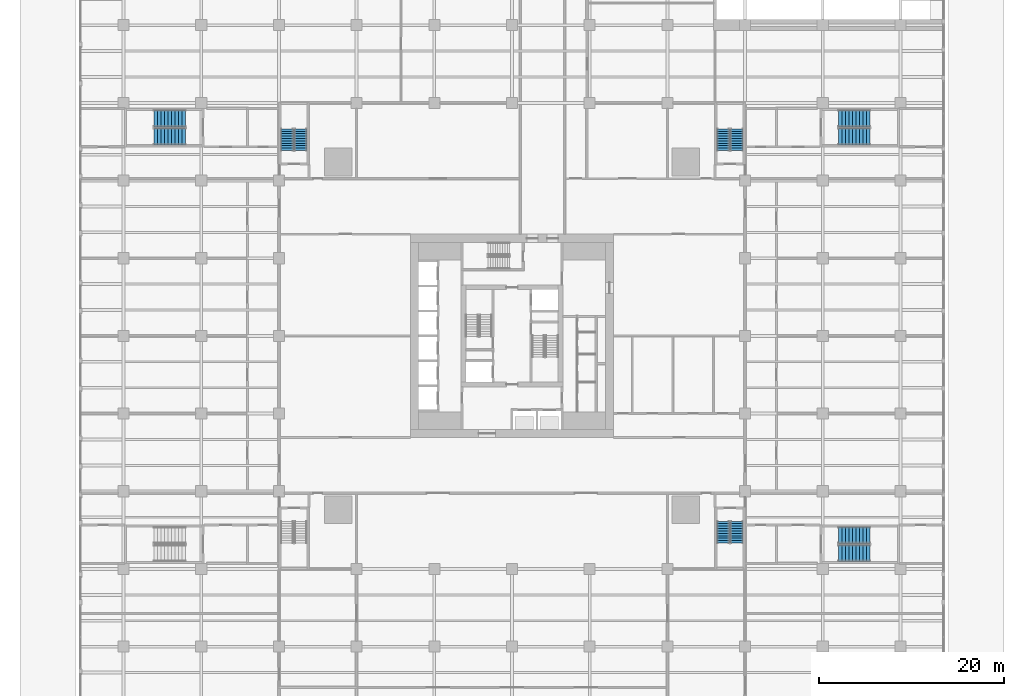
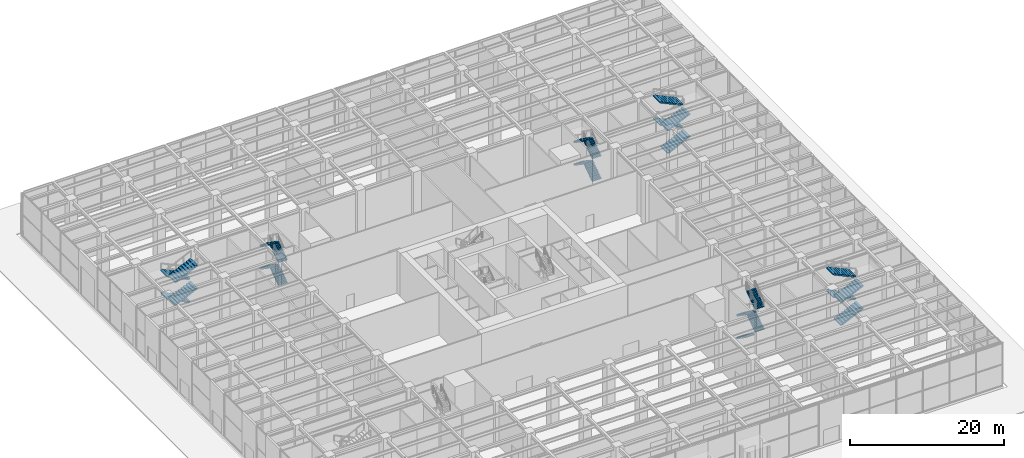
# One storey, part 37 of 43: 24 stair flights, 6 elements without a shape of their own.
"""IFC4 building model written with IfcOpenShell, lengths in metres."""

from ifc_helpers import new_model, si_unit, direction, frame, origin, place, context, subcontext, project, spatial, polyline, outline, extrude, material, type_object, element, aggregate, save


model = new_model("IFC4")

# Units and contexts
model_context = context("Model", 3, precision=1e-05, world=origin(), true_north=direction((0.0, 1.0)))
body_context = subcontext(model_context, "Body", "Model", "MODEL_VIEW")
ifc_project = project(units=[si_unit("LENGTHUNIT", "METRE"), si_unit("AREAUNIT", "SQUARE_METRE"), si_unit("VOLUMEUNIT", "CUBIC_METRE"), si_unit("PLANEANGLEUNIT", "RADIAN"), si_unit("MASSUNIT", "GRAM", prefix="KILO")], contexts=[model_context])

# Site, building, storey
site_placement = place(None, origin())
site = spatial("IfcSite", under=ifc_project, at=site_placement, CompositionType="ELEMENT")
building_placement = place(site_placement, origin())
building = spatial("IfcBuilding", under=site, at=building_placement, Name="Khepri Terraces", CompositionType="ELEMENT")
storey_placement = place(building_placement, origin())
storey = spatial("IfcBuildingStorey", under=building, at=storey_placement, Name="L00", CompositionType="ELEMENT", Elevation=0.0)

# Stair, stair flights
ifc_material = material(Name="Concrete C40/50", Category="concrete")
stair_type = type_object("IfcStairType", Name="ST-POD", PredefinedType="HALF_TURN_STAIR", material=ifc_material)
stair_1_placement = place(storey_placement, origin())
stair_1 = element("IfcStair", 1, at=stair_1_placement, inside=storey, type_object=stair_type, Name="L00 Exit Stair PS-1", PredefinedType="HALF_TURN_STAIR")
stair_flight_type = type_object("IfcStairFlightType", Name="SFL-POD", PredefinedType="STRAIGHT", material=ifc_material)
stair_flight_1_placement = place(storey_placement, frame((24.324951171875, 20.050048828125, 0.0), z_axis=(0.0, 0.0, 1.0), x_axis=(0.0, 1.0, 0.0)))
stair_flight_1 = element("IfcStairFlight", 2, at=stair_flight_1_placement, type_object=stair_flight_type, Name="PS-1 flight 1", NumberOfRisers=10, NumberOfTreads=9, PredefinedType="STRAIGHT", RiserHeight=0.18, TreadLength=0.26, context=body_context, shape_type="SweptSolid", body=[
    extrude(outline(polyline([(0.0, 0.0), (0.0, 0.179931640625), (0.260009765625, 0.179931640625), (0.260009765625, 0.360107421875), (0.52001953125, 0.360107421875), (0.52001953125, 0.5400390625), (0.780029296875, 0.5400390625), (0.780029296875, 0.719970703125), (1.0400390625, 0.719970703125), (1.0400390625, 0.89990234375), (1.300048828125, 0.89990234375), (1.300048828125, 1.080078125), (1.56005859375, 1.080078125), (1.56005859375, 1.260009765625), (1.820068359375, 1.260009765625), (1.820068359375, 1.43994140625), (2.080078125, 1.43994140625), (2.080078125, 1.6201171875), (2.340087890625, 1.6201171875), (2.340087890625, 1.800048828125), (2.340087890625, 1.437744140625), (0.263427734375, 0.0), (0.0, 0.0)])), frame((0.0, 0.675048828125, 0.0), z_axis=(0.0, -1.0, 0.0), x_axis=(1.0, 0.0, 0.0)), (0.0, 0.0, 1.0), 1.35009765625),
])
stair_flight_2_placement = place(storey_placement, frame((22.824951171875, 22.389892578125, 1.800048828125), z_axis=(0.0, 0.0, 1.0), x_axis=(0.0, -1.0, 0.0)))
stair_flight_2 = element("IfcStairFlight", 3, at=stair_flight_2_placement, type_object=stair_flight_type, Name="PS-1 flight 2", NumberOfRisers=10, NumberOfTreads=9, PredefinedType="STRAIGHT", RiserHeight=0.18, TreadLength=0.26, context=body_context, shape_type="SweptSolid", body=[
    extrude(outline(polyline([(0.0, 0.0), (0.0, 0.179931640625), (0.260009765625, 0.179931640625), (0.260009765625, 0.360107421875), (0.52001953125, 0.360107421875), (0.52001953125, 0.5400390625), (0.780029296875, 0.5400390625), (0.780029296875, 0.719970703125), (1.0400390625, 0.719970703125), (1.0400390625, 0.89990234375), (1.300048828125, 0.89990234375), (1.300048828125, 1.080078125), (1.56005859375, 1.080078125), (1.56005859375, 1.260009765625), (1.820068359375, 1.260009765625), (1.820068359375, 1.43994140625), (2.080078125, 1.43994140625), (2.080078125, 1.6201171875), (2.340087890625, 1.6201171875), (2.340087890625, 1.800048828125), (2.340087890625, 1.437744140625), (0.263427734375, 0.0), (0.0, 0.0)])), frame((0.0, 0.675048828125, 0.0), z_axis=(0.0, -1.0, 0.0), x_axis=(1.0, 0.0, 0.0)), (0.0, 0.0, 1.0), 1.35009765625),
])
stair_flight_3_placement = place(storey_placement, frame((24.324951171875, 20.050048828125, 3.60009765625), z_axis=(0.0, 0.0, 1.0), x_axis=(0.0, 1.0, 0.0)))
stair_flight_3 = element("IfcStairFlight", 4, at=stair_flight_3_placement, type_object=stair_flight_type, Name="PS-1 flight 3", NumberOfRisers=10, NumberOfTreads=9, PredefinedType="STRAIGHT", RiserHeight=0.18, TreadLength=0.26, context=body_context, shape_type="SweptSolid", body=[
    extrude(outline(polyline([(0.0, 0.0), (0.0, 0.179931640625), (0.260009765625, 0.179931640625), (0.260009765625, 0.360107421875), (0.52001953125, 0.360107421875), (0.52001953125, 0.5400390625), (0.780029296875, 0.5400390625), (0.780029296875, 0.719970703125), (1.0400390625, 0.719970703125), (1.0400390625, 0.89990234375), (1.300048828125, 0.89990234375), (1.300048828125, 1.080078125), (1.56005859375, 1.080078125), (1.56005859375, 1.260009765625), (1.820068359375, 1.260009765625), (1.820068359375, 1.43994140625), (2.080078125, 1.43994140625), (2.080078125, 1.6201171875), (2.340087890625, 1.6201171875), (2.340087890625, 1.800048828125), (2.340087890625, 1.437744140625), (0.263427734375, 0.0), (0.0, 0.0)])), frame((0.0, 0.675048828125, 0.0), z_axis=(0.0, -1.0, 0.0), x_axis=(1.0, 0.0, 0.0)), (0.0, 0.0, 1.0), 1.35009765625),
])
stair_flight_4_placement = place(storey_placement, frame((22.824951171875, 22.389892578125, 5.39990234375), z_axis=(0.0, 0.0, 1.0), x_axis=(0.0, -1.0, 0.0)))
stair_flight_4 = element("IfcStairFlight", 5, at=stair_flight_4_placement, type_object=stair_flight_type, Name="PS-1 flight 4", NumberOfRisers=10, NumberOfTreads=9, PredefinedType="STRAIGHT", RiserHeight=0.18, TreadLength=0.26, context=body_context, shape_type="SweptSolid", body=[
    extrude(outline(polyline([(0.0, 0.0), (0.0, 0.179931640625), (0.260009765625, 0.179931640625), (0.260009765625, 0.360107421875), (0.52001953125, 0.360107421875), (0.52001953125, 0.5400390625), (0.780029296875, 0.5400390625), (0.780029296875, 0.719970703125), (1.0400390625, 0.719970703125), (1.0400390625, 0.89990234375), (1.300048828125, 0.89990234375), (1.300048828125, 1.080078125), (1.56005859375, 1.080078125), (1.56005859375, 1.260009765625), (1.820068359375, 1.260009765625), (1.820068359375, 1.43994140625), (2.080078125, 1.43994140625), (2.080078125, 1.6201171875), (2.340087890625, 1.6201171875), (2.340087890625, 1.800048828125), (2.340087890625, 1.437744140625), (0.263427734375, 0.0), (0.0, 0.0)])), frame((0.0, 0.675048828125, 0.0), z_axis=(0.0, -1.0, 0.0), x_axis=(1.0, 0.0, 0.0)), (0.0, 0.0, 1.0), 1.35009765625),
])
aggregate(stair_1, [stair_flight_1, stair_flight_2, stair_flight_3, stair_flight_4])

stair_2_placement = place(storey_placement, origin())
stair_2 = element("IfcStair", 6, at=stair_2_placement, inside=storey, type_object=stair_type, Name="L00 Exit Stair PS-2", PredefinedType="HALF_TURN_STAIR")
stair_flight_5_placement = place(storey_placement, frame((-22.824951171875, 20.050048828125, 0.0), z_axis=(0.0, 0.0, 1.0), x_axis=(0.0, 1.0, 0.0)))
stair_flight_5 = element("IfcStairFlight", 7, at=stair_flight_5_placement, type_object=stair_flight_type, Name="PS-2 flight 1", NumberOfRisers=10, NumberOfTreads=9, PredefinedType="STRAIGHT", RiserHeight=0.18, TreadLength=0.26, context=body_context, shape_type="SweptSolid", body=[
    extrude(outline(polyline([(0.0, 0.0), (0.0, 0.179931640625), (0.260009765625, 0.179931640625), (0.260009765625, 0.360107421875), (0.52001953125, 0.360107421875), (0.52001953125, 0.5400390625), (0.780029296875, 0.5400390625), (0.780029296875, 0.719970703125), (1.0400390625, 0.719970703125), (1.0400390625, 0.89990234375), (1.300048828125, 0.89990234375), (1.300048828125, 1.080078125), (1.56005859375, 1.080078125), (1.56005859375, 1.260009765625), (1.820068359375, 1.260009765625), (1.820068359375, 1.43994140625), (2.080078125, 1.43994140625), (2.080078125, 1.6201171875), (2.340087890625, 1.6201171875), (2.340087890625, 1.800048828125), (2.340087890625, 1.437744140625), (0.263427734375, 0.0), (0.0, 0.0)])), frame((0.0, 0.675048828125, 0.0), z_axis=(0.0, -1.0, 0.0), x_axis=(1.0, 0.0, 0.0)), (0.0, 0.0, 1.0), 1.35009765625),
])
stair_flight_6_placement = place(storey_placement, frame((-24.324951171875, 22.389892578125, 1.800048828125), z_axis=(0.0, 0.0, 1.0), x_axis=(0.0, -1.0, 0.0)))
stair_flight_6 = element("IfcStairFlight", 8, at=stair_flight_6_placement, type_object=stair_flight_type, Name="PS-2 flight 2", NumberOfRisers=10, NumberOfTreads=9, PredefinedType="STRAIGHT", RiserHeight=0.18, TreadLength=0.26, context=body_context, shape_type="SweptSolid", body=[
    extrude(outline(polyline([(0.0, 0.0), (0.0, 0.179931640625), (0.260009765625, 0.179931640625), (0.260009765625, 0.360107421875), (0.52001953125, 0.360107421875), (0.52001953125, 0.5400390625), (0.780029296875, 0.5400390625), (0.780029296875, 0.719970703125), (1.0400390625, 0.719970703125), (1.0400390625, 0.89990234375), (1.300048828125, 0.89990234375), (1.300048828125, 1.080078125), (1.56005859375, 1.080078125), (1.56005859375, 1.260009765625), (1.820068359375, 1.260009765625), (1.820068359375, 1.43994140625), (2.080078125, 1.43994140625), (2.080078125, 1.6201171875), (2.340087890625, 1.6201171875), (2.340087890625, 1.800048828125), (2.340087890625, 1.437744140625), (0.263427734375, 0.0), (0.0, 0.0)])), frame((0.0, 0.675048828125, 0.0), z_axis=(0.0, -1.0, 0.0), x_axis=(1.0, 0.0, 0.0)), (0.0, 0.0, 1.0), 1.35009765625),
])
stair_flight_7_placement = place(storey_placement, frame((-22.824951171875, 20.050048828125, 3.60009765625), z_axis=(0.0, 0.0, 1.0), x_axis=(0.0, 1.0, 0.0)))
stair_flight_7 = element("IfcStairFlight", 9, at=stair_flight_7_placement, type_object=stair_flight_type, Name="PS-2 flight 3", NumberOfRisers=10, NumberOfTreads=9, PredefinedType="STRAIGHT", RiserHeight=0.18, TreadLength=0.26, context=body_context, shape_type="SweptSolid", body=[
    extrude(outline(polyline([(0.0, 0.0), (0.0, 0.179931640625), (0.260009765625, 0.179931640625), (0.260009765625, 0.360107421875), (0.52001953125, 0.360107421875), (0.52001953125, 0.5400390625), (0.780029296875, 0.5400390625), (0.780029296875, 0.719970703125), (1.0400390625, 0.719970703125), (1.0400390625, 0.89990234375), (1.300048828125, 0.89990234375), (1.300048828125, 1.080078125), (1.56005859375, 1.080078125), (1.56005859375, 1.260009765625), (1.820068359375, 1.260009765625), (1.820068359375, 1.43994140625), (2.080078125, 1.43994140625), (2.080078125, 1.6201171875), (2.340087890625, 1.6201171875), (2.340087890625, 1.800048828125), (2.340087890625, 1.437744140625), (0.263427734375, 0.0), (0.0, 0.0)])), frame((0.0, 0.675048828125, 0.0), z_axis=(0.0, -1.0, 0.0), x_axis=(1.0, 0.0, 0.0)), (0.0, 0.0, 1.0), 1.35009765625),
])
stair_flight_8_placement = place(storey_placement, frame((-24.324951171875, 22.389892578125, 5.39990234375), z_axis=(0.0, 0.0, 1.0), x_axis=(0.0, -1.0, 0.0)))
stair_flight_8 = element("IfcStairFlight", 10, at=stair_flight_8_placement, type_object=stair_flight_type, Name="PS-2 flight 4", NumberOfRisers=10, NumberOfTreads=9, PredefinedType="STRAIGHT", RiserHeight=0.18, TreadLength=0.26, context=body_context, shape_type="SweptSolid", body=[
    extrude(outline(polyline([(0.0, 0.0), (0.0, 0.179931640625), (0.260009765625, 0.179931640625), (0.260009765625, 0.360107421875), (0.52001953125, 0.360107421875), (0.52001953125, 0.5400390625), (0.780029296875, 0.5400390625), (0.780029296875, 0.719970703125), (1.0400390625, 0.719970703125), (1.0400390625, 0.89990234375), (1.300048828125, 0.89990234375), (1.300048828125, 1.080078125), (1.56005859375, 1.080078125), (1.56005859375, 1.260009765625), (1.820068359375, 1.260009765625), (1.820068359375, 1.43994140625), (2.080078125, 1.43994140625), (2.080078125, 1.6201171875), (2.340087890625, 1.6201171875), (2.340087890625, 1.800048828125), (2.340087890625, 1.437744140625), (0.263427734375, 0.0), (0.0, 0.0)])), frame((0.0, 0.675048828125, 0.0), z_axis=(0.0, -1.0, 0.0), x_axis=(1.0, 0.0, 0.0)), (0.0, 0.0, 1.0), 1.35009765625),
])
aggregate(stair_2, [stair_flight_5, stair_flight_6, stair_flight_7, stair_flight_8])

stair_3_placement = place(storey_placement, origin())
stair_3 = element("IfcStair", 11, at=stair_3_placement, inside=storey, type_object=stair_type, Name="L00 Exit Stair PS-3", PredefinedType="HALF_TURN_STAIR")
stair_flight_9_placement = place(storey_placement, frame((22.824951171875, -20.050048828125, 0.0), z_axis=(0.0, 0.0, 1.0), x_axis=(0.0, -1.0, 0.0)))
stair_flight_9 = element("IfcStairFlight", 12, at=stair_flight_9_placement, type_object=stair_flight_type, Name="PS-3 flight 1", NumberOfRisers=10, NumberOfTreads=9, PredefinedType="STRAIGHT", RiserHeight=0.18, TreadLength=0.26, context=body_context, shape_type="SweptSolid", body=[
    extrude(outline(polyline([(0.0, 0.0), (0.0, 0.179931640625), (0.260009765625, 0.179931640625), (0.260009765625, 0.360107421875), (0.52001953125, 0.360107421875), (0.52001953125, 0.5400390625), (0.780029296875, 0.5400390625), (0.780029296875, 0.719970703125), (1.0400390625, 0.719970703125), (1.0400390625, 0.89990234375), (1.300048828125, 0.89990234375), (1.300048828125, 1.080078125), (1.56005859375, 1.080078125), (1.56005859375, 1.260009765625), (1.820068359375, 1.260009765625), (1.820068359375, 1.43994140625), (2.080078125, 1.43994140625), (2.080078125, 1.6201171875), (2.340087890625, 1.6201171875), (2.340087890625, 1.800048828125), (2.340087890625, 1.437744140625), (0.263427734375, 0.0), (0.0, 0.0)])), frame((0.0, 0.675048828125, 0.0), z_axis=(0.0, -1.0, 0.0), x_axis=(1.0, 0.0, 0.0)), (0.0, 0.0, 1.0), 1.35009765625),
])
stair_flight_10_placement = place(storey_placement, frame((24.324951171875, -22.389892578125, 1.800048828125), z_axis=(0.0, 0.0, 1.0), x_axis=(0.0, 1.0, 0.0)))
stair_flight_10 = element("IfcStairFlight", 13, at=stair_flight_10_placement, type_object=stair_flight_type, Name="PS-3 flight 2", NumberOfRisers=10, NumberOfTreads=9, PredefinedType="STRAIGHT", RiserHeight=0.18, TreadLength=0.26, context=body_context, shape_type="SweptSolid", body=[
    extrude(outline(polyline([(0.0, 0.0), (0.0, 0.179931640625), (0.260009765625, 0.179931640625), (0.260009765625, 0.360107421875), (0.52001953125, 0.360107421875), (0.52001953125, 0.5400390625), (0.780029296875, 0.5400390625), (0.780029296875, 0.719970703125), (1.0400390625, 0.719970703125), (1.0400390625, 0.89990234375), (1.300048828125, 0.89990234375), (1.300048828125, 1.080078125), (1.56005859375, 1.080078125), (1.56005859375, 1.260009765625), (1.820068359375, 1.260009765625), (1.820068359375, 1.43994140625), (2.080078125, 1.43994140625), (2.080078125, 1.6201171875), (2.340087890625, 1.6201171875), (2.340087890625, 1.800048828125), (2.340087890625, 1.437744140625), (0.263427734375, 0.0), (0.0, 0.0)])), frame((0.0, 0.675048828125, 0.0), z_axis=(0.0, -1.0, 0.0), x_axis=(1.0, 0.0, 0.0)), (0.0, 0.0, 1.0), 1.35009765625),
])
stair_flight_11_placement = place(storey_placement, frame((22.824951171875, -20.050048828125, 3.60009765625), z_axis=(0.0, 0.0, 1.0), x_axis=(0.0, -1.0, 0.0)))
stair_flight_11 = element("IfcStairFlight", 14, at=stair_flight_11_placement, type_object=stair_flight_type, Name="PS-3 flight 3", NumberOfRisers=10, NumberOfTreads=9, PredefinedType="STRAIGHT", RiserHeight=0.18, TreadLength=0.26, context=body_context, shape_type="SweptSolid", body=[
    extrude(outline(polyline([(0.0, 0.0), (0.0, 0.179931640625), (0.260009765625, 0.179931640625), (0.260009765625, 0.360107421875), (0.52001953125, 0.360107421875), (0.52001953125, 0.5400390625), (0.780029296875, 0.5400390625), (0.780029296875, 0.719970703125), (1.0400390625, 0.719970703125), (1.0400390625, 0.89990234375), (1.300048828125, 0.89990234375), (1.300048828125, 1.080078125), (1.56005859375, 1.080078125), (1.56005859375, 1.260009765625), (1.820068359375, 1.260009765625), (1.820068359375, 1.43994140625), (2.080078125, 1.43994140625), (2.080078125, 1.6201171875), (2.340087890625, 1.6201171875), (2.340087890625, 1.800048828125), (2.340087890625, 1.437744140625), (0.263427734375, 0.0), (0.0, 0.0)])), frame((0.0, 0.675048828125, 0.0), z_axis=(0.0, -1.0, 0.0), x_axis=(1.0, 0.0, 0.0)), (0.0, 0.0, 1.0), 1.35009765625),
])
stair_flight_12_placement = place(storey_placement, frame((24.324951171875, -22.389892578125, 5.39990234375), z_axis=(0.0, 0.0, 1.0), x_axis=(0.0, 1.0, 0.0)))
stair_flight_12 = element("IfcStairFlight", 15, at=stair_flight_12_placement, type_object=stair_flight_type, Name="PS-3 flight 4", NumberOfRisers=10, NumberOfTreads=9, PredefinedType="STRAIGHT", RiserHeight=0.18, TreadLength=0.26, context=body_context, shape_type="SweptSolid", body=[
    extrude(outline(polyline([(0.0, 0.0), (0.0, 0.179931640625), (0.260009765625, 0.179931640625), (0.260009765625, 0.360107421875), (0.52001953125, 0.360107421875), (0.52001953125, 0.5400390625), (0.780029296875, 0.5400390625), (0.780029296875, 0.719970703125), (1.0400390625, 0.719970703125), (1.0400390625, 0.89990234375), (1.300048828125, 0.89990234375), (1.300048828125, 1.080078125), (1.56005859375, 1.080078125), (1.56005859375, 1.260009765625), (1.820068359375, 1.260009765625), (1.820068359375, 1.43994140625), (2.080078125, 1.43994140625), (2.080078125, 1.6201171875), (2.340087890625, 1.6201171875), (2.340087890625, 1.800048828125), (2.340087890625, 1.437744140625), (0.263427734375, 0.0), (0.0, 0.0)])), frame((0.0, 0.675048828125, 0.0), z_axis=(0.0, -1.0, 0.0), x_axis=(1.0, 0.0, 0.0)), (0.0, 0.0, 1.0), 1.35009765625),
])
aggregate(stair_3, [stair_flight_9, stair_flight_10, stair_flight_11, stair_flight_12])

stair_4_placement = place(storey_placement, origin())
stair_4 = element("IfcStair", 16, at=stair_4_placement, inside=storey, type_object=stair_type, Name="L00 Exit Stair PS-5", PredefinedType="HALF_TURN_STAIR")
stair_flight_13_placement = place(storey_placement, frame((-35.300048828125, 23.5, 0.0), z_axis=(0.0, 0.0, 1.0), x_axis=(-1.0, 0.0, 0.0)))
stair_flight_13 = element("IfcStairFlight", 17, at=stair_flight_13_placement, type_object=stair_flight_type, Name="PS-5 flight 1", NumberOfRisers=10, NumberOfTreads=9, PredefinedType="STRAIGHT", RiserHeight=0.18, TreadLength=0.38, context=body_context, shape_type="SweptSolid", body=[
    extrude(outline(polyline([(0.0, 0.0), (0.0, 0.179931640625), (0.3798828125, 0.179931640625), (0.3798828125, 0.360107421875), (0.760009765625, 0.360107421875), (0.760009765625, 0.5400390625), (1.139892578125, 0.5400390625), (1.139892578125, 0.719970703125), (1.52001953125, 0.719970703125), (1.52001953125, 0.89990234375), (1.89990234375, 0.89990234375), (1.89990234375, 1.080078125), (2.280029296875, 1.080078125), (2.280029296875, 1.260009765625), (2.659912109375, 1.260009765625), (2.659912109375, 1.43994140625), (3.0400390625, 1.43994140625), (3.0400390625, 1.6201171875), (3.419921875, 1.6201171875), (3.419921875, 1.800048828125), (3.419921875, 1.4541015625), (0.35009765625, 0.0), (0.0, 0.0)])), frame((0.0, 0.89990234375, 0.0), z_axis=(0.0, -1.0, 0.0), x_axis=(1.0, 0.0, 0.0)), (0.0, 0.0, 1.0), 1.800048828125),
])
stair_flight_14_placement = place(storey_placement, frame((-38.719970703125, 21.550048828125, 1.800048828125), z_axis=(0.0, 0.0, 1.0), x_axis=(1.0, 0.0, 0.0)))
stair_flight_14 = element("IfcStairFlight", 18, at=stair_flight_14_placement, type_object=stair_flight_type, Name="PS-5 flight 2", NumberOfRisers=10, NumberOfTreads=9, PredefinedType="STRAIGHT", RiserHeight=0.18, TreadLength=0.38, context=body_context, shape_type="SweptSolid", body=[
    extrude(outline(polyline([(0.0, 0.0), (0.0, 0.179931640625), (0.3798828125, 0.179931640625), (0.3798828125, 0.360107421875), (0.760009765625, 0.360107421875), (0.760009765625, 0.5400390625), (1.139892578125, 0.5400390625), (1.139892578125, 0.719970703125), (1.52001953125, 0.719970703125), (1.52001953125, 0.89990234375), (1.89990234375, 0.89990234375), (1.89990234375, 1.080078125), (2.280029296875, 1.080078125), (2.280029296875, 1.260009765625), (2.659912109375, 1.260009765625), (2.659912109375, 1.43994140625), (3.0400390625, 1.43994140625), (3.0400390625, 1.6201171875), (3.419921875, 1.6201171875), (3.419921875, 1.800048828125), (3.419921875, 1.4541015625), (0.35009765625, 0.0), (0.0, 0.0)])), frame((0.0, 0.89990234375, 0.0), z_axis=(0.0, -1.0, 0.0), x_axis=(1.0, 0.0, 0.0)), (0.0, 0.0, 1.0), 1.800048828125),
])
stair_flight_15_placement = place(storey_placement, frame((-35.300048828125, 23.5, 3.60009765625), z_axis=(0.0, 0.0, 1.0), x_axis=(-1.0, 0.0, 0.0)))
stair_flight_15 = element("IfcStairFlight", 19, at=stair_flight_15_placement, type_object=stair_flight_type, Name="PS-5 flight 3", NumberOfRisers=10, NumberOfTreads=9, PredefinedType="STRAIGHT", RiserHeight=0.18, TreadLength=0.38, context=body_context, shape_type="SweptSolid", body=[
    extrude(outline(polyline([(0.0, 0.0), (0.0, 0.179931640625), (0.3798828125, 0.179931640625), (0.3798828125, 0.360107421875), (0.760009765625, 0.360107421875), (0.760009765625, 0.5400390625), (1.139892578125, 0.5400390625), (1.139892578125, 0.719970703125), (1.52001953125, 0.719970703125), (1.52001953125, 0.89990234375), (1.89990234375, 0.89990234375), (1.89990234375, 1.080078125), (2.280029296875, 1.080078125), (2.280029296875, 1.260009765625), (2.659912109375, 1.260009765625), (2.659912109375, 1.43994140625), (3.0400390625, 1.43994140625), (3.0400390625, 1.6201171875), (3.419921875, 1.6201171875), (3.419921875, 1.800048828125), (3.419921875, 1.4541015625), (0.35009765625, 0.0), (0.0, 0.0)])), frame((0.0, 0.89990234375, 0.0), z_axis=(0.0, -1.0, 0.0), x_axis=(1.0, 0.0, 0.0)), (0.0, 0.0, 1.0), 1.800048828125),
])
stair_flight_16_placement = place(storey_placement, frame((-38.719970703125, 21.550048828125, 5.39990234375), z_axis=(0.0, 0.0, 1.0), x_axis=(1.0, 0.0, 0.0)))
stair_flight_16 = element("IfcStairFlight", 20, at=stair_flight_16_placement, type_object=stair_flight_type, Name="PS-5 flight 4", NumberOfRisers=10, NumberOfTreads=9, PredefinedType="STRAIGHT", RiserHeight=0.18, TreadLength=0.38, context=body_context, shape_type="SweptSolid", body=[
    extrude(outline(polyline([(0.0, 0.0), (0.0, 0.179931640625), (0.3798828125, 0.179931640625), (0.3798828125, 0.360107421875), (0.760009765625, 0.360107421875), (0.760009765625, 0.5400390625), (1.139892578125, 0.5400390625), (1.139892578125, 0.719970703125), (1.52001953125, 0.719970703125), (1.52001953125, 0.89990234375), (1.89990234375, 0.89990234375), (1.89990234375, 1.080078125), (2.280029296875, 1.080078125), (2.280029296875, 1.260009765625), (2.659912109375, 1.260009765625), (2.659912109375, 1.43994140625), (3.0400390625, 1.43994140625), (3.0400390625, 1.6201171875), (3.419921875, 1.6201171875), (3.419921875, 1.800048828125), (3.419921875, 1.4541015625), (0.35009765625, 0.0), (0.0, 0.0)])), frame((0.0, 0.89990234375, 0.0), z_axis=(0.0, -1.0, 0.0), x_axis=(1.0, 0.0, 0.0)), (0.0, 0.0, 1.0), 1.800048828125),
])
aggregate(stair_4, [stair_flight_13, stair_flight_14, stair_flight_15, stair_flight_16])

stair_5_placement = place(storey_placement, origin())
stair_5 = element("IfcStair", 21, at=stair_5_placement, inside=storey, type_object=stair_type, Name="L00 Exit Stair PS-6", PredefinedType="HALF_TURN_STAIR")
stair_flight_17_placement = place(storey_placement, frame((35.300048828125, 21.550048828125, 0.0), z_axis=(0.0, 0.0, 1.0), x_axis=(1.0, 0.0, 0.0)))
stair_flight_17 = element("IfcStairFlight", 22, at=stair_flight_17_placement, type_object=stair_flight_type, Name="PS-6 flight 1", NumberOfRisers=10, NumberOfTreads=9, PredefinedType="STRAIGHT", RiserHeight=0.18, TreadLength=0.38, context=body_context, shape_type="SweptSolid", body=[
    extrude(outline(polyline([(0.0, 0.0), (0.0, 0.179931640625), (0.3798828125, 0.179931640625), (0.3798828125, 0.360107421875), (0.760009765625, 0.360107421875), (0.760009765625, 0.5400390625), (1.139892578125, 0.5400390625), (1.139892578125, 0.719970703125), (1.52001953125, 0.719970703125), (1.52001953125, 0.89990234375), (1.89990234375, 0.89990234375), (1.89990234375, 1.080078125), (2.280029296875, 1.080078125), (2.280029296875, 1.260009765625), (2.659912109375, 1.260009765625), (2.659912109375, 1.43994140625), (3.0400390625, 1.43994140625), (3.0400390625, 1.6201171875), (3.419921875, 1.6201171875), (3.419921875, 1.800048828125), (3.419921875, 1.4541015625), (0.35009765625, 0.0), (0.0, 0.0)])), frame((0.0, 0.89990234375, 0.0), z_axis=(0.0, -1.0, 0.0), x_axis=(1.0, 0.0, 0.0)), (0.0, 0.0, 1.0), 1.800048828125),
])
stair_flight_18_placement = place(storey_placement, frame((38.719970703125, 23.5, 1.800048828125), z_axis=(0.0, 0.0, 1.0), x_axis=(-1.0, 0.0, 0.0)))
stair_flight_18 = element("IfcStairFlight", 23, at=stair_flight_18_placement, type_object=stair_flight_type, Name="PS-6 flight 2", NumberOfRisers=10, NumberOfTreads=9, PredefinedType="STRAIGHT", RiserHeight=0.18, TreadLength=0.38, context=body_context, shape_type="SweptSolid", body=[
    extrude(outline(polyline([(0.0, 0.0), (0.0, 0.179931640625), (0.3798828125, 0.179931640625), (0.3798828125, 0.360107421875), (0.760009765625, 0.360107421875), (0.760009765625, 0.5400390625), (1.139892578125, 0.5400390625), (1.139892578125, 0.719970703125), (1.52001953125, 0.719970703125), (1.52001953125, 0.89990234375), (1.89990234375, 0.89990234375), (1.89990234375, 1.080078125), (2.280029296875, 1.080078125), (2.280029296875, 1.260009765625), (2.659912109375, 1.260009765625), (2.659912109375, 1.43994140625), (3.0400390625, 1.43994140625), (3.0400390625, 1.6201171875), (3.419921875, 1.6201171875), (3.419921875, 1.800048828125), (3.419921875, 1.4541015625), (0.35009765625, 0.0), (0.0, 0.0)])), frame((0.0, 0.89990234375, 0.0), z_axis=(0.0, -1.0, 0.0), x_axis=(1.0, 0.0, 0.0)), (0.0, 0.0, 1.0), 1.800048828125),
])
stair_flight_19_placement = place(storey_placement, frame((35.300048828125, 21.550048828125, 3.60009765625), z_axis=(0.0, 0.0, 1.0), x_axis=(1.0, 0.0, 0.0)))
stair_flight_19 = element("IfcStairFlight", 24, at=stair_flight_19_placement, type_object=stair_flight_type, Name="PS-6 flight 3", NumberOfRisers=10, NumberOfTreads=9, PredefinedType="STRAIGHT", RiserHeight=0.18, TreadLength=0.38, context=body_context, shape_type="SweptSolid", body=[
    extrude(outline(polyline([(0.0, 0.0), (0.0, 0.179931640625), (0.3798828125, 0.179931640625), (0.3798828125, 0.360107421875), (0.760009765625, 0.360107421875), (0.760009765625, 0.5400390625), (1.139892578125, 0.5400390625), (1.139892578125, 0.719970703125), (1.52001953125, 0.719970703125), (1.52001953125, 0.89990234375), (1.89990234375, 0.89990234375), (1.89990234375, 1.080078125), (2.280029296875, 1.080078125), (2.280029296875, 1.260009765625), (2.659912109375, 1.260009765625), (2.659912109375, 1.43994140625), (3.0400390625, 1.43994140625), (3.0400390625, 1.6201171875), (3.419921875, 1.6201171875), (3.419921875, 1.800048828125), (3.419921875, 1.4541015625), (0.35009765625, 0.0), (0.0, 0.0)])), frame((0.0, 0.89990234375, 0.0), z_axis=(0.0, -1.0, 0.0), x_axis=(1.0, 0.0, 0.0)), (0.0, 0.0, 1.0), 1.800048828125),
])
stair_flight_20_placement = place(storey_placement, frame((38.719970703125, 23.5, 5.39990234375), z_axis=(0.0, 0.0, 1.0), x_axis=(-1.0, 0.0, 0.0)))
stair_flight_20 = element("IfcStairFlight", 25, at=stair_flight_20_placement, type_object=stair_flight_type, Name="PS-6 flight 4", NumberOfRisers=10, NumberOfTreads=9, PredefinedType="STRAIGHT", RiserHeight=0.18, TreadLength=0.38, context=body_context, shape_type="SweptSolid", body=[
    extrude(outline(polyline([(0.0, 0.0), (0.0, 0.179931640625), (0.3798828125, 0.179931640625), (0.3798828125, 0.360107421875), (0.760009765625, 0.360107421875), (0.760009765625, 0.5400390625), (1.139892578125, 0.5400390625), (1.139892578125, 0.719970703125), (1.52001953125, 0.719970703125), (1.52001953125, 0.89990234375), (1.89990234375, 0.89990234375), (1.89990234375, 1.080078125), (2.280029296875, 1.080078125), (2.280029296875, 1.260009765625), (2.659912109375, 1.260009765625), (2.659912109375, 1.43994140625), (3.0400390625, 1.43994140625), (3.0400390625, 1.6201171875), (3.419921875, 1.6201171875), (3.419921875, 1.800048828125), (3.419921875, 1.4541015625), (0.35009765625, 0.0), (0.0, 0.0)])), frame((0.0, 0.89990234375, 0.0), z_axis=(0.0, -1.0, 0.0), x_axis=(1.0, 0.0, 0.0)), (0.0, 0.0, 1.0), 1.800048828125),
])
aggregate(stair_5, [stair_flight_17, stair_flight_18, stair_flight_19, stair_flight_20])

stair_6_placement = place(storey_placement, origin())
stair_6 = element("IfcStair", 26, at=stair_6_placement, inside=storey, type_object=stair_type, Name="L00 Exit Stair PS-8", PredefinedType="HALF_TURN_STAIR")
stair_flight_21_placement = place(storey_placement, frame((35.300048828125, -23.5, 0.0), z_axis=(0.0, 0.0, 1.0), x_axis=(1.0, 0.0, 0.0)))
stair_flight_21 = element("IfcStairFlight", 27, at=stair_flight_21_placement, type_object=stair_flight_type, Name="PS-8 flight 1", NumberOfRisers=10, NumberOfTreads=9, PredefinedType="STRAIGHT", RiserHeight=0.18, TreadLength=0.38, context=body_context, shape_type="SweptSolid", body=[
    extrude(outline(polyline([(0.0, 0.0), (0.0, 0.179931640625), (0.3798828125, 0.179931640625), (0.3798828125, 0.360107421875), (0.760009765625, 0.360107421875), (0.760009765625, 0.5400390625), (1.139892578125, 0.5400390625), (1.139892578125, 0.719970703125), (1.52001953125, 0.719970703125), (1.52001953125, 0.89990234375), (1.89990234375, 0.89990234375), (1.89990234375, 1.080078125), (2.280029296875, 1.080078125), (2.280029296875, 1.260009765625), (2.659912109375, 1.260009765625), (2.659912109375, 1.43994140625), (3.0400390625, 1.43994140625), (3.0400390625, 1.6201171875), (3.419921875, 1.6201171875), (3.419921875, 1.800048828125), (3.419921875, 1.4541015625), (0.35009765625, 0.0), (0.0, 0.0)])), frame((0.0, 0.89990234375, 0.0), z_axis=(0.0, -1.0, 0.0), x_axis=(1.0, 0.0, 0.0)), (0.0, 0.0, 1.0), 1.800048828125),
])
stair_flight_22_placement = place(storey_placement, frame((38.719970703125, -21.550048828125, 1.800048828125), z_axis=(0.0, 0.0, 1.0), x_axis=(-1.0, 0.0, 0.0)))
stair_flight_22 = element("IfcStairFlight", 28, at=stair_flight_22_placement, type_object=stair_flight_type, Name="PS-8 flight 2", NumberOfRisers=10, NumberOfTreads=9, PredefinedType="STRAIGHT", RiserHeight=0.18, TreadLength=0.38, context=body_context, shape_type="SweptSolid", body=[
    extrude(outline(polyline([(0.0, 0.0), (0.0, 0.179931640625), (0.3798828125, 0.179931640625), (0.3798828125, 0.360107421875), (0.760009765625, 0.360107421875), (0.760009765625, 0.5400390625), (1.139892578125, 0.5400390625), (1.139892578125, 0.719970703125), (1.52001953125, 0.719970703125), (1.52001953125, 0.89990234375), (1.89990234375, 0.89990234375), (1.89990234375, 1.080078125), (2.280029296875, 1.080078125), (2.280029296875, 1.260009765625), (2.659912109375, 1.260009765625), (2.659912109375, 1.43994140625), (3.0400390625, 1.43994140625), (3.0400390625, 1.6201171875), (3.419921875, 1.6201171875), (3.419921875, 1.800048828125), (3.419921875, 1.4541015625), (0.35009765625, 0.0), (0.0, 0.0)])), frame((0.0, 0.89990234375, 0.0), z_axis=(0.0, -1.0, 0.0), x_axis=(1.0, 0.0, 0.0)), (0.0, 0.0, 1.0), 1.800048828125),
])
stair_flight_23_placement = place(storey_placement, frame((35.300048828125, -23.5, 3.60009765625), z_axis=(0.0, 0.0, 1.0), x_axis=(1.0, 0.0, 0.0)))
stair_flight_23 = element("IfcStairFlight", 29, at=stair_flight_23_placement, type_object=stair_flight_type, Name="PS-8 flight 3", NumberOfRisers=10, NumberOfTreads=9, PredefinedType="STRAIGHT", RiserHeight=0.18, TreadLength=0.38, context=body_context, shape_type="SweptSolid", body=[
    extrude(outline(polyline([(0.0, 0.0), (0.0, 0.179931640625), (0.3798828125, 0.179931640625), (0.3798828125, 0.360107421875), (0.760009765625, 0.360107421875), (0.760009765625, 0.5400390625), (1.139892578125, 0.5400390625), (1.139892578125, 0.719970703125), (1.52001953125, 0.719970703125), (1.52001953125, 0.89990234375), (1.89990234375, 0.89990234375), (1.89990234375, 1.080078125), (2.280029296875, 1.080078125), (2.280029296875, 1.260009765625), (2.659912109375, 1.260009765625), (2.659912109375, 1.43994140625), (3.0400390625, 1.43994140625), (3.0400390625, 1.6201171875), (3.419921875, 1.6201171875), (3.419921875, 1.800048828125), (3.419921875, 1.4541015625), (0.35009765625, 0.0), (0.0, 0.0)])), frame((0.0, 0.89990234375, 0.0), z_axis=(0.0, -1.0, 0.0), x_axis=(1.0, 0.0, 0.0)), (0.0, 0.0, 1.0), 1.800048828125),
])
stair_flight_24_placement = place(storey_placement, frame((38.719970703125, -21.550048828125, 5.39990234375), z_axis=(0.0, 0.0, 1.0), x_axis=(-1.0, 0.0, 0.0)))
stair_flight_24 = element("IfcStairFlight", 30, at=stair_flight_24_placement, type_object=stair_flight_type, Name="PS-8 flight 4", NumberOfRisers=10, NumberOfTreads=9, PredefinedType="STRAIGHT", RiserHeight=0.18, TreadLength=0.38, context=body_context, shape_type="SweptSolid", body=[
    extrude(outline(polyline([(0.0, 0.0), (0.0, 0.179931640625), (0.3798828125, 0.179931640625), (0.3798828125, 0.360107421875), (0.760009765625, 0.360107421875), (0.760009765625, 0.5400390625), (1.139892578125, 0.5400390625), (1.139892578125, 0.719970703125), (1.52001953125, 0.719970703125), (1.52001953125, 0.89990234375), (1.89990234375, 0.89990234375), (1.89990234375, 1.080078125), (2.280029296875, 1.080078125), (2.280029296875, 1.260009765625), (2.659912109375, 1.260009765625), (2.659912109375, 1.43994140625), (3.0400390625, 1.43994140625), (3.0400390625, 1.6201171875), (3.419921875, 1.6201171875), (3.419921875, 1.800048828125), (3.419921875, 1.4541015625), (0.35009765625, 0.0), (0.0, 0.0)])), frame((0.0, 0.89990234375, 0.0), z_axis=(0.0, -1.0, 0.0), x_axis=(1.0, 0.0, 0.0)), (0.0, 0.0, 1.0), 1.800048828125),
])
aggregate(stair_6, [stair_flight_21, stair_flight_22, stair_flight_23, stair_flight_24])

save(model, "model.ifc")
